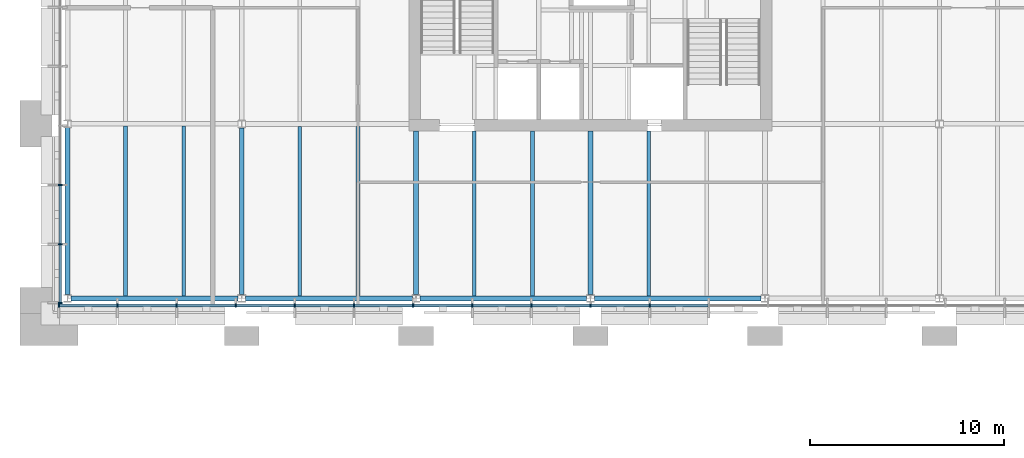
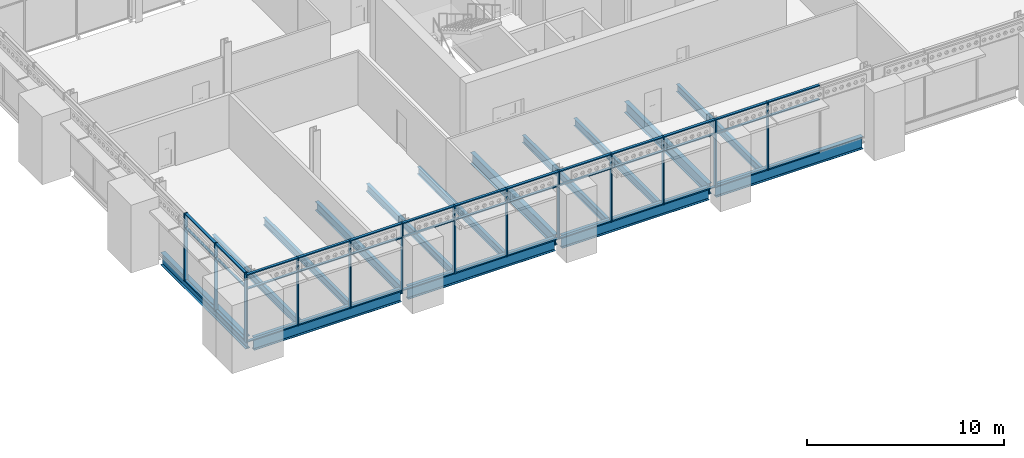
# One storey, part 9 of 54: 53 members, 15 beams, 2 elements without a shape of their own.
"""IFC4 building model written with IfcOpenShell, lengths in metres."""

from ifc_helpers import new_model, si_unit, direction, frame, origin, origin_2d, place, context, subcontext, project, spatial, rectangle, i_section, extrude, material, material_profile, profile_set, type_object, element, aggregate, save


model = new_model("IFC4")

# Units and contexts
model_context = context("Model", 3, precision=1e-05, world=origin(), true_north=direction((0.0, 1.0)))
body_context = subcontext(model_context, "Body", "Model", "MODEL_VIEW")
ifc_project = project(units=[si_unit("LENGTHUNIT", "METRE"), si_unit("AREAUNIT", "SQUARE_METRE"), si_unit("VOLUMEUNIT", "CUBIC_METRE"), si_unit("PLANEANGLEUNIT", "RADIAN"), si_unit("MASSUNIT", "GRAM", prefix="KILO")], contexts=[model_context])

# Site, building, storey
site_placement = place(None, origin())
site = spatial("IfcSite", under=ifc_project, at=site_placement, CompositionType="ELEMENT")
building_placement = place(site_placement, origin())
building = spatial("IfcBuilding", under=site, at=building_placement, Name="Baradari Gate Terminus", CompositionType="ELEMENT")
storey_placement = place(building_placement, frame((0.0, 0.0, 15.89990234375)))
storey = spatial("IfcBuildingStorey", under=building, at=storey_placement, Name="L03", CompositionType="ELEMENT", Elevation=15.89990234375)

# Curtain wall, members
ifc_material_1 = material(Name="Aluminium 6063-T6", Category="aluminium")
curtain_wall_type = type_object("IfcCurtainWallType", Name="Curtain wall CW-1 block unitised, zone L02-L05", PredefinedType="NOTDEFINED", material=ifc_material_1)
curtain_wall_1_placement = place(storey_placement, origin())
curtain_wall_1 = element("IfcCurtainWall", 1, at=curtain_wall_1_placement, inside=storey, type_object=curtain_wall_type, Name="Curtain wall CW-1 Operations block S face L03", PredefinedType="NOTDEFINED")
ifc_material_2 = material(Name="Aluminium 6063-T6", Category="aluminium")
ifc_material_profile_1 = material_profile(ifc_material_2, rectangle(XDim=0.199951171875, YDim=0.06494140625, at=origin_2d()), Name="CM-1 65X200")
ifc_profile_set_1 = profile_set([ifc_material_profile_1], Name="Aluminium 6063-T6")
member_type_1 = type_object("IfcMemberType", Name="Curtain wall mullion CM-1 65x200", PredefinedType="MULLION", material=ifc_profile_set_1)
member_1_placement = place(storey_placement, frame((8.5625, 116.6298828125, 0.0), z_axis=(0.0, 0.0, 1.0), x_axis=(0.0, 1.0, 0.0)))
member_1 = element("IfcMember", 2, at=member_1_placement, type_object=member_type_1, Name="CW-1 mullion 1", PredefinedType="MULLION", context=body_context, shape_type="SweptSolid", body=[
    extrude(rectangle(XDim=0.199951171875, YDim=0.06494140625, at=origin_2d()), origin(), (0.0, 0.0, 1.0), 4.2001953125),
])
member_2_placement = place(storey_placement, frame((11.582275390625, 116.6298828125, 0.0), z_axis=(0.0, 0.0, 1.0), x_axis=(0.0, 1.0, 0.0)))
member_2 = element("IfcMember", 3, at=member_2_placement, type_object=member_type_1, Name="CW-1 mullion 2", PredefinedType="MULLION", context=body_context, shape_type="SweptSolid", body=[
    extrude(rectangle(XDim=0.199951171875, YDim=0.06494140625, at=origin_2d()), origin(), (0.0, 0.0, 1.0), 4.2001953125),
])
member_3_placement = place(storey_placement, frame((14.634521484375, 116.6298828125, 0.0), z_axis=(0.0, 0.0, 1.0), x_axis=(0.0, 1.0, 0.0)))
member_3 = element("IfcMember", 4, at=member_3_placement, type_object=member_type_1, Name="CW-1 mullion 3", PredefinedType="MULLION", context=body_context, shape_type="SweptSolid", body=[
    extrude(rectangle(XDim=0.199951171875, YDim=0.06494140625, at=origin_2d()), origin(), (0.0, 0.0, 1.0), 4.2001953125),
])
member_4_placement = place(storey_placement, frame((17.686767578125, 116.6298828125, 0.0), z_axis=(0.0, 0.0, 1.0), x_axis=(0.0, 1.0, 0.0)))
member_4 = element("IfcMember", 5, at=member_4_placement, type_object=member_type_1, Name="CW-1 mullion 4", PredefinedType="MULLION", context=body_context, shape_type="SweptSolid", body=[
    extrude(rectangle(XDim=0.199951171875, YDim=0.06494140625, at=origin_2d()), origin(), (0.0, 0.0, 1.0), 4.2001953125),
])
member_5_placement = place(storey_placement, frame((20.73876953125, 116.6298828125, 0.0), z_axis=(0.0, 0.0, 1.0), x_axis=(0.0, 1.0, 0.0)))
member_5 = element("IfcMember", 6, at=member_5_placement, type_object=member_type_1, Name="CW-1 mullion 5", PredefinedType="MULLION", context=body_context, shape_type="SweptSolid", body=[
    extrude(rectangle(XDim=0.199951171875, YDim=0.06494140625, at=origin_2d()), origin(), (0.0, 0.0, 1.0), 4.2001953125),
])
member_6_placement = place(storey_placement, frame((23.791015625, 116.6298828125, 0.0), z_axis=(0.0, 0.0, 1.0), x_axis=(0.0, 1.0, 0.0)))
member_6 = element("IfcMember", 7, at=member_6_placement, type_object=member_type_1, Name="CW-1 mullion 6", PredefinedType="MULLION", context=body_context, shape_type="SweptSolid", body=[
    extrude(rectangle(XDim=0.199951171875, YDim=0.06494140625, at=origin_2d()), origin(), (0.0, 0.0, 1.0), 4.2001953125),
])
member_7_placement = place(storey_placement, frame((26.84326171875, 116.6298828125, 0.0), z_axis=(0.0, 0.0, 1.0), x_axis=(0.0, 1.0, 0.0)))
member_7 = element("IfcMember", 8, at=member_7_placement, type_object=member_type_1, Name="CW-1 mullion 7", PredefinedType="MULLION", context=body_context, shape_type="SweptSolid", body=[
    extrude(rectangle(XDim=0.199951171875, YDim=0.06494140625, at=origin_2d()), origin(), (0.0, 0.0, 1.0), 4.2001953125),
])
member_8_placement = place(storey_placement, frame((29.8955078125, 116.6298828125, 0.0), z_axis=(0.0, 0.0, 1.0), x_axis=(0.0, 1.0, 0.0)))
member_8 = element("IfcMember", 9, at=member_8_placement, type_object=member_type_1, Name="CW-1 mullion 8", PredefinedType="MULLION", context=body_context, shape_type="SweptSolid", body=[
    extrude(rectangle(XDim=0.199951171875, YDim=0.06494140625, at=origin_2d()), origin(), (0.0, 0.0, 1.0), 4.2001953125),
])
member_9_placement = place(storey_placement, frame((32.94775390625, 116.6298828125, 0.0), z_axis=(0.0, 0.0, 1.0), x_axis=(0.0, 1.0, 0.0)))
member_9 = element("IfcMember", 10, at=member_9_placement, type_object=member_type_1, Name="CW-1 mullion 9", PredefinedType="MULLION", context=body_context, shape_type="SweptSolid", body=[
    extrude(rectangle(XDim=0.199951171875, YDim=0.06494140625, at=origin_2d()), origin(), (0.0, 0.0, 1.0), 4.2001953125),
])
member_10_placement = place(storey_placement, frame((36.0, 116.6298828125, 0.0), z_axis=(0.0, 0.0, 1.0), x_axis=(0.0, 1.0, 0.0)))
member_10 = element("IfcMember", 11, at=member_10_placement, type_object=member_type_1, Name="CW-1 mullion 10", PredefinedType="MULLION", context=body_context, shape_type="SweptSolid", body=[
    extrude(rectangle(XDim=0.199951171875, YDim=0.06494140625, at=origin_2d()), origin(), (0.0, 0.0, 1.0), 4.2001953125),
])
member_11_placement = place(storey_placement, frame((39.05224609375, 116.6298828125, 0.0), z_axis=(0.0, 0.0, 1.0), x_axis=(0.0, 1.0, 0.0)))
member_11 = element("IfcMember", 12, at=member_11_placement, type_object=member_type_1, Name="CW-1 mullion 11", PredefinedType="MULLION", context=body_context, shape_type="SweptSolid", body=[
    extrude(rectangle(XDim=0.199951171875, YDim=0.06494140625, at=origin_2d()), origin(), (0.0, 0.0, 1.0), 4.2001953125),
])

curtain_wall_2_placement = place(storey_placement, origin())
curtain_wall_2 = element("IfcCurtainWall", 13, at=curtain_wall_2_placement, inside=storey, type_object=curtain_wall_type, Name="Curtain wall CW-1 Operations block W face L03", PredefinedType="NOTDEFINED")
member_12_placement = place(storey_placement, frame((8.6298828125, 116.762451171875, 0.0), z_axis=(0.0, 0.0, 1.0), x_axis=(-1.0, 0.0, 0.0)))
member_12 = element("IfcMember", 14, at=member_12_placement, type_object=member_type_1, Name="CW-1 mullion 1", PredefinedType="MULLION", context=body_context, shape_type="SweptSolid", body=[
    extrude(rectangle(XDim=0.199951171875, YDim=0.06494140625, at=origin_2d()), origin(), (0.0, 0.0, 1.0), 4.2001953125),
])
member_13_placement = place(storey_placement, frame((8.6298828125, 119.7900390625, 0.0), z_axis=(0.0, 0.0, 1.0), x_axis=(-1.0, 0.0, 0.0)))
member_13 = element("IfcMember", 15, at=member_13_placement, type_object=member_type_1, Name="CW-1 mullion 2", PredefinedType="MULLION", context=body_context, shape_type="SweptSolid", body=[
    extrude(rectangle(XDim=0.199951171875, YDim=0.06494140625, at=origin_2d()), origin(), (0.0, 0.0, 1.0), 4.2001953125),
])
member_14_placement = place(storey_placement, frame((8.6298828125, 122.85009765625, 0.0), z_axis=(0.0, 0.0, 1.0), x_axis=(-1.0, 0.0, 0.0)))
member_14 = element("IfcMember", 16, at=member_14_placement, type_object=member_type_1, Name="CW-1 mullion 3", PredefinedType="MULLION", context=body_context, shape_type="SweptSolid", body=[
    extrude(rectangle(XDim=0.199951171875, YDim=0.06494140625, at=origin_2d()), origin(), (0.0, 0.0, 1.0), 4.2001953125),
])

# Member
ifc_material_3 = material(Name="Aluminium 6063-T6", Category="aluminium")
ifc_material_profile_2 = material_profile(ifc_material_3, rectangle(XDim=0.14990234375, YDim=0.06494140625, at=origin_2d()), Name="CT-1 65X150")
ifc_profile_set_2 = profile_set([ifc_material_profile_2], Name="Aluminium 6063-T6")
member_type_2 = type_object("IfcMemberType", Name="Curtain wall transom CT-1 65x150", PredefinedType="USERDEFINED", material=ifc_profile_set_2)
member_15_placement = place(storey_placement, frame((8.594970703125, 116.6298828125, 0.03271484375), z_axis=(1.0, 0.0, 0.0), x_axis=(0.0, 1.0, 0.0)))
member_15 = element("IfcMember", 17, at=member_15_placement, type_object=member_type_2, Name="CW-1 transom 1.1", ObjectType="TRANSOM", PredefinedType="USERDEFINED", context=body_context, shape_type="SweptSolid", body=[
    extrude(rectangle(XDim=0.14990234375, YDim=0.06494140625, at=origin_2d()), origin(), (0.0, 0.0, 1.0), 2.954833984375),
])

member_16_placement = place(storey_placement, frame((8.594970703125, 116.6298828125, 3.300048828125), z_axis=(1.0, 0.0, 0.0), x_axis=(0.0, 1.0, 0.0)))
member_16 = element("IfcMember", 18, at=member_16_placement, type_object=member_type_2, Name="CW-1 transom 1.2", ObjectType="TRANSOM", PredefinedType="USERDEFINED", context=body_context, shape_type="SweptSolid", body=[
    extrude(rectangle(XDim=0.14990234375, YDim=0.06494140625, at=origin_2d()), origin(), (0.0, 0.0, 1.0), 2.954833984375),
])

member_17_placement = place(storey_placement, frame((8.594970703125, 116.6298828125, 4.16748046875), z_axis=(1.0, 0.0, 0.0), x_axis=(0.0, 1.0, 0.0)))
member_17 = element("IfcMember", 19, at=member_17_placement, type_object=member_type_2, Name="CW-1 transom 1.3", ObjectType="TRANSOM", PredefinedType="USERDEFINED", context=body_context, shape_type="SweptSolid", body=[
    extrude(rectangle(XDim=0.14990234375, YDim=0.06494140625, at=origin_2d()), origin(), (0.0, 0.0, 1.0), 2.954833984375),
])

member_18_placement = place(storey_placement, frame((11.61474609375, 116.6298828125, 0.03271484375), z_axis=(1.0, 0.0, 0.0), x_axis=(0.0, 1.0, 0.0)))
member_18 = element("IfcMember", 20, at=member_18_placement, type_object=member_type_2, Name="CW-1 transom 2.1", ObjectType="TRANSOM", PredefinedType="USERDEFINED", context=body_context, shape_type="SweptSolid", body=[
    extrude(rectangle(XDim=0.14990234375, YDim=0.06494140625, at=origin_2d()), origin(), (0.0, 0.0, 1.0), 2.9873046875),
])

member_19_placement = place(storey_placement, frame((11.61474609375, 116.6298828125, 3.300048828125), z_axis=(1.0, 0.0, 0.0), x_axis=(0.0, 1.0, 0.0)))
member_19 = element("IfcMember", 21, at=member_19_placement, type_object=member_type_2, Name="CW-1 transom 2.2", ObjectType="TRANSOM", PredefinedType="USERDEFINED", context=body_context, shape_type="SweptSolid", body=[
    extrude(rectangle(XDim=0.14990234375, YDim=0.06494140625, at=origin_2d()), origin(), (0.0, 0.0, 1.0), 2.9873046875),
])

member_20_placement = place(storey_placement, frame((11.61474609375, 116.6298828125, 4.16748046875), z_axis=(1.0, 0.0, 0.0), x_axis=(0.0, 1.0, 0.0)))
member_20 = element("IfcMember", 22, at=member_20_placement, type_object=member_type_2, Name="CW-1 transom 2.3", ObjectType="TRANSOM", PredefinedType="USERDEFINED", context=body_context, shape_type="SweptSolid", body=[
    extrude(rectangle(XDim=0.14990234375, YDim=0.06494140625, at=origin_2d()), origin(), (0.0, 0.0, 1.0), 2.9873046875),
])

member_21_placement = place(storey_placement, frame((14.6669921875, 116.6298828125, 0.03271484375), z_axis=(1.0, 0.0, 0.0), x_axis=(0.0, 1.0, 0.0)))
member_21 = element("IfcMember", 23, at=member_21_placement, type_object=member_type_2, Name="CW-1 transom 3.1", ObjectType="TRANSOM", PredefinedType="USERDEFINED", context=body_context, shape_type="SweptSolid", body=[
    extrude(rectangle(XDim=0.14990234375, YDim=0.06494140625, at=origin_2d()), origin(), (0.0, 0.0, 1.0), 2.987060546875),
])

member_22_placement = place(storey_placement, frame((14.6669921875, 116.6298828125, 3.300048828125), z_axis=(1.0, 0.0, 0.0), x_axis=(0.0, 1.0, 0.0)))
member_22 = element("IfcMember", 24, at=member_22_placement, type_object=member_type_2, Name="CW-1 transom 3.2", ObjectType="TRANSOM", PredefinedType="USERDEFINED", context=body_context, shape_type="SweptSolid", body=[
    extrude(rectangle(XDim=0.14990234375, YDim=0.06494140625, at=origin_2d()), origin(), (0.0, 0.0, 1.0), 2.987060546875),
])

member_23_placement = place(storey_placement, frame((14.6669921875, 116.6298828125, 4.16748046875), z_axis=(1.0, 0.0, 0.0), x_axis=(0.0, 1.0, 0.0)))
member_23 = element("IfcMember", 25, at=member_23_placement, type_object=member_type_2, Name="CW-1 transom 3.3", ObjectType="TRANSOM", PredefinedType="USERDEFINED", context=body_context, shape_type="SweptSolid", body=[
    extrude(rectangle(XDim=0.14990234375, YDim=0.06494140625, at=origin_2d()), origin(), (0.0, 0.0, 1.0), 2.987060546875),
])

member_24_placement = place(storey_placement, frame((17.71923828125, 116.6298828125, 0.03271484375), z_axis=(1.0, 0.0, 0.0), x_axis=(0.0, 1.0, 0.0)))
member_24 = element("IfcMember", 26, at=member_24_placement, type_object=member_type_2, Name="CW-1 transom 4.1", ObjectType="TRANSOM", PredefinedType="USERDEFINED", context=body_context, shape_type="SweptSolid", body=[
    extrude(rectangle(XDim=0.14990234375, YDim=0.06494140625, at=origin_2d()), origin(), (0.0, 0.0, 1.0), 2.987060546875),
])

member_25_placement = place(storey_placement, frame((17.71923828125, 116.6298828125, 3.300048828125), z_axis=(1.0, 0.0, 0.0), x_axis=(0.0, 1.0, 0.0)))
member_25 = element("IfcMember", 27, at=member_25_placement, type_object=member_type_2, Name="CW-1 transom 4.2", ObjectType="TRANSOM", PredefinedType="USERDEFINED", context=body_context, shape_type="SweptSolid", body=[
    extrude(rectangle(XDim=0.14990234375, YDim=0.06494140625, at=origin_2d()), origin(), (0.0, 0.0, 1.0), 2.987060546875),
])

member_26_placement = place(storey_placement, frame((17.71923828125, 116.6298828125, 4.16748046875), z_axis=(1.0, 0.0, 0.0), x_axis=(0.0, 1.0, 0.0)))
member_26 = element("IfcMember", 28, at=member_26_placement, type_object=member_type_2, Name="CW-1 transom 4.3", ObjectType="TRANSOM", PredefinedType="USERDEFINED", context=body_context, shape_type="SweptSolid", body=[
    extrude(rectangle(XDim=0.14990234375, YDim=0.06494140625, at=origin_2d()), origin(), (0.0, 0.0, 1.0), 2.987060546875),
])

member_27_placement = place(storey_placement, frame((20.771484375, 116.6298828125, 0.03271484375), z_axis=(1.0, 0.0, 0.0), x_axis=(0.0, 1.0, 0.0)))
member_27 = element("IfcMember", 29, at=member_27_placement, type_object=member_type_2, Name="CW-1 transom 5.1", ObjectType="TRANSOM", PredefinedType="USERDEFINED", context=body_context, shape_type="SweptSolid", body=[
    extrude(rectangle(XDim=0.14990234375, YDim=0.06494140625, at=origin_2d()), origin(), (0.0, 0.0, 1.0), 2.987060546875),
])

member_28_placement = place(storey_placement, frame((20.771484375, 116.6298828125, 3.300048828125), z_axis=(1.0, 0.0, 0.0), x_axis=(0.0, 1.0, 0.0)))
member_28 = element("IfcMember", 30, at=member_28_placement, type_object=member_type_2, Name="CW-1 transom 5.2", ObjectType="TRANSOM", PredefinedType="USERDEFINED", context=body_context, shape_type="SweptSolid", body=[
    extrude(rectangle(XDim=0.14990234375, YDim=0.06494140625, at=origin_2d()), origin(), (0.0, 0.0, 1.0), 2.987060546875),
])

member_29_placement = place(storey_placement, frame((20.771484375, 116.6298828125, 4.16748046875), z_axis=(1.0, 0.0, 0.0), x_axis=(0.0, 1.0, 0.0)))
member_29 = element("IfcMember", 31, at=member_29_placement, type_object=member_type_2, Name="CW-1 transom 5.3", ObjectType="TRANSOM", PredefinedType="USERDEFINED", context=body_context, shape_type="SweptSolid", body=[
    extrude(rectangle(XDim=0.14990234375, YDim=0.06494140625, at=origin_2d()), origin(), (0.0, 0.0, 1.0), 2.987060546875),
])

member_30_placement = place(storey_placement, frame((23.82373046875, 116.6298828125, 0.03271484375), z_axis=(1.0, 0.0, 0.0), x_axis=(0.0, 1.0, 0.0)))
member_30 = element("IfcMember", 32, at=member_30_placement, type_object=member_type_2, Name="CW-1 transom 6.1", ObjectType="TRANSOM", PredefinedType="USERDEFINED", context=body_context, shape_type="SweptSolid", body=[
    extrude(rectangle(XDim=0.14990234375, YDim=0.06494140625, at=origin_2d()), origin(), (0.0, 0.0, 1.0), 2.987060546875),
])

member_31_placement = place(storey_placement, frame((23.82373046875, 116.6298828125, 3.300048828125), z_axis=(1.0, 0.0, 0.0), x_axis=(0.0, 1.0, 0.0)))
member_31 = element("IfcMember", 33, at=member_31_placement, type_object=member_type_2, Name="CW-1 transom 6.2", ObjectType="TRANSOM", PredefinedType="USERDEFINED", context=body_context, shape_type="SweptSolid", body=[
    extrude(rectangle(XDim=0.14990234375, YDim=0.06494140625, at=origin_2d()), origin(), (0.0, 0.0, 1.0), 2.987060546875),
])

member_32_placement = place(storey_placement, frame((23.82373046875, 116.6298828125, 4.16748046875), z_axis=(1.0, 0.0, 0.0), x_axis=(0.0, 1.0, 0.0)))
member_32 = element("IfcMember", 34, at=member_32_placement, type_object=member_type_2, Name="CW-1 transom 6.3", ObjectType="TRANSOM", PredefinedType="USERDEFINED", context=body_context, shape_type="SweptSolid", body=[
    extrude(rectangle(XDim=0.14990234375, YDim=0.06494140625, at=origin_2d()), origin(), (0.0, 0.0, 1.0), 2.987060546875),
])

member_33_placement = place(storey_placement, frame((26.875732421875, 116.6298828125, 0.03271484375), z_axis=(1.0, 0.0, 0.0), x_axis=(0.0, 1.0, 0.0)))
member_33 = element("IfcMember", 35, at=member_33_placement, type_object=member_type_2, Name="CW-1 transom 7.1", ObjectType="TRANSOM", PredefinedType="USERDEFINED", context=body_context, shape_type="SweptSolid", body=[
    extrude(rectangle(XDim=0.14990234375, YDim=0.06494140625, at=origin_2d()), origin(), (0.0, 0.0, 1.0), 2.9873046875),
])

member_34_placement = place(storey_placement, frame((26.875732421875, 116.6298828125, 3.300048828125), z_axis=(1.0, 0.0, 0.0), x_axis=(0.0, 1.0, 0.0)))
member_34 = element("IfcMember", 36, at=member_34_placement, type_object=member_type_2, Name="CW-1 transom 7.2", ObjectType="TRANSOM", PredefinedType="USERDEFINED", context=body_context, shape_type="SweptSolid", body=[
    extrude(rectangle(XDim=0.14990234375, YDim=0.06494140625, at=origin_2d()), origin(), (0.0, 0.0, 1.0), 2.9873046875),
])

member_35_placement = place(storey_placement, frame((26.875732421875, 116.6298828125, 4.16748046875), z_axis=(1.0, 0.0, 0.0), x_axis=(0.0, 1.0, 0.0)))
member_35 = element("IfcMember", 37, at=member_35_placement, type_object=member_type_2, Name="CW-1 transom 7.3", ObjectType="TRANSOM", PredefinedType="USERDEFINED", context=body_context, shape_type="SweptSolid", body=[
    extrude(rectangle(XDim=0.14990234375, YDim=0.06494140625, at=origin_2d()), origin(), (0.0, 0.0, 1.0), 2.9873046875),
])

member_36_placement = place(storey_placement, frame((29.927978515625, 116.6298828125, 0.03271484375), z_axis=(1.0, 0.0, 0.0), x_axis=(0.0, 1.0, 0.0)))
member_36 = element("IfcMember", 38, at=member_36_placement, type_object=member_type_2, Name="CW-1 transom 8.1", ObjectType="TRANSOM", PredefinedType="USERDEFINED", context=body_context, shape_type="SweptSolid", body=[
    extrude(rectangle(XDim=0.14990234375, YDim=0.06494140625, at=origin_2d()), origin(), (0.0, 0.0, 1.0), 2.9873046875),
])

member_37_placement = place(storey_placement, frame((29.927978515625, 116.6298828125, 3.300048828125), z_axis=(1.0, 0.0, 0.0), x_axis=(0.0, 1.0, 0.0)))
member_37 = element("IfcMember", 39, at=member_37_placement, type_object=member_type_2, Name="CW-1 transom 8.2", ObjectType="TRANSOM", PredefinedType="USERDEFINED", context=body_context, shape_type="SweptSolid", body=[
    extrude(rectangle(XDim=0.14990234375, YDim=0.06494140625, at=origin_2d()), origin(), (0.0, 0.0, 1.0), 2.9873046875),
])

member_38_placement = place(storey_placement, frame((29.927978515625, 116.6298828125, 4.16748046875), z_axis=(1.0, 0.0, 0.0), x_axis=(0.0, 1.0, 0.0)))
member_38 = element("IfcMember", 40, at=member_38_placement, type_object=member_type_2, Name="CW-1 transom 8.3", ObjectType="TRANSOM", PredefinedType="USERDEFINED", context=body_context, shape_type="SweptSolid", body=[
    extrude(rectangle(XDim=0.14990234375, YDim=0.06494140625, at=origin_2d()), origin(), (0.0, 0.0, 1.0), 2.9873046875),
])

member_39_placement = place(storey_placement, frame((32.980224609375, 116.6298828125, 0.03271484375), z_axis=(1.0, 0.0, 0.0), x_axis=(0.0, 1.0, 0.0)))
member_39 = element("IfcMember", 41, at=member_39_placement, type_object=member_type_2, Name="CW-1 transom 9.1", ObjectType="TRANSOM", PredefinedType="USERDEFINED", context=body_context, shape_type="SweptSolid", body=[
    extrude(rectangle(XDim=0.14990234375, YDim=0.06494140625, at=origin_2d()), origin(), (0.0, 0.0, 1.0), 2.9873046875),
])

member_40_placement = place(storey_placement, frame((32.980224609375, 116.6298828125, 3.300048828125), z_axis=(1.0, 0.0, 0.0), x_axis=(0.0, 1.0, 0.0)))
member_40 = element("IfcMember", 42, at=member_40_placement, type_object=member_type_2, Name="CW-1 transom 9.2", ObjectType="TRANSOM", PredefinedType="USERDEFINED", context=body_context, shape_type="SweptSolid", body=[
    extrude(rectangle(XDim=0.14990234375, YDim=0.06494140625, at=origin_2d()), origin(), (0.0, 0.0, 1.0), 2.9873046875),
])

member_41_placement = place(storey_placement, frame((32.980224609375, 116.6298828125, 4.16748046875), z_axis=(1.0, 0.0, 0.0), x_axis=(0.0, 1.0, 0.0)))
member_41 = element("IfcMember", 43, at=member_41_placement, type_object=member_type_2, Name="CW-1 transom 9.3", ObjectType="TRANSOM", PredefinedType="USERDEFINED", context=body_context, shape_type="SweptSolid", body=[
    extrude(rectangle(XDim=0.14990234375, YDim=0.06494140625, at=origin_2d()), origin(), (0.0, 0.0, 1.0), 2.9873046875),
])

member_42_placement = place(storey_placement, frame((36.032470703125, 116.6298828125, 0.03271484375), z_axis=(1.0, 0.0, 0.0), x_axis=(0.0, 1.0, 0.0)))
member_42 = element("IfcMember", 44, at=member_42_placement, type_object=member_type_2, Name="CW-1 transom 10.1", ObjectType="TRANSOM", PredefinedType="USERDEFINED", context=body_context, shape_type="SweptSolid", body=[
    extrude(rectangle(XDim=0.14990234375, YDim=0.06494140625, at=origin_2d()), origin(), (0.0, 0.0, 1.0), 2.9873046875),
])

member_43_placement = place(storey_placement, frame((36.032470703125, 116.6298828125, 3.300048828125), z_axis=(1.0, 0.0, 0.0), x_axis=(0.0, 1.0, 0.0)))
member_43 = element("IfcMember", 45, at=member_43_placement, type_object=member_type_2, Name="CW-1 transom 10.2", ObjectType="TRANSOM", PredefinedType="USERDEFINED", context=body_context, shape_type="SweptSolid", body=[
    extrude(rectangle(XDim=0.14990234375, YDim=0.06494140625, at=origin_2d()), origin(), (0.0, 0.0, 1.0), 2.9873046875),
])

member_44_placement = place(storey_placement, frame((36.032470703125, 116.6298828125, 4.16748046875), z_axis=(1.0, 0.0, 0.0), x_axis=(0.0, 1.0, 0.0)))
member_44 = element("IfcMember", 46, at=member_44_placement, type_object=member_type_2, Name="CW-1 transom 10.3", ObjectType="TRANSOM", PredefinedType="USERDEFINED", context=body_context, shape_type="SweptSolid", body=[
    extrude(rectangle(XDim=0.14990234375, YDim=0.06494140625, at=origin_2d()), origin(), (0.0, 0.0, 1.0), 2.9873046875),
])

member_45_placement = place(storey_placement, frame((39.084716796875, 116.6298828125, 0.03271484375), z_axis=(1.0, 0.0, 0.0), x_axis=(0.0, 1.0, 0.0)))
member_45 = element("IfcMember", 47, at=member_45_placement, type_object=member_type_2, Name="CW-1 transom 11.1", ObjectType="TRANSOM", PredefinedType="USERDEFINED", context=body_context, shape_type="SweptSolid", body=[
    extrude(rectangle(XDim=0.14990234375, YDim=0.06494140625, at=origin_2d()), origin(), (0.0, 0.0, 1.0), 2.9873046875),
])

member_46_placement = place(storey_placement, frame((39.084716796875, 116.6298828125, 3.300048828125), z_axis=(1.0, 0.0, 0.0), x_axis=(0.0, 1.0, 0.0)))
member_46 = element("IfcMember", 48, at=member_46_placement, type_object=member_type_2, Name="CW-1 transom 11.2", ObjectType="TRANSOM", PredefinedType="USERDEFINED", context=body_context, shape_type="SweptSolid", body=[
    extrude(rectangle(XDim=0.14990234375, YDim=0.06494140625, at=origin_2d()), origin(), (0.0, 0.0, 1.0), 2.9873046875),
])

member_47_placement = place(storey_placement, frame((39.084716796875, 116.6298828125, 4.16748046875), z_axis=(1.0, 0.0, 0.0), x_axis=(0.0, 1.0, 0.0)))
member_47 = element("IfcMember", 49, at=member_47_placement, type_object=member_type_2, Name="CW-1 transom 11.3", ObjectType="TRANSOM", PredefinedType="USERDEFINED", context=body_context, shape_type="SweptSolid", body=[
    extrude(rectangle(XDim=0.14990234375, YDim=0.06494140625, at=origin_2d()), origin(), (0.0, 0.0, 1.0), 2.9873046875),
])

aggregate(curtain_wall_1, [member_1, member_2, member_3, member_4, member_5, member_6, member_7, member_8, member_9, member_10, member_11, member_15, member_16, member_17, member_18, member_19, member_20, member_21, member_22, member_23, member_24, member_25, member_26, member_27, member_28, member_29, member_30, member_31, member_32, member_33, member_34, member_35, member_36, member_37, member_38, member_39, member_40, member_41, member_42, member_43, member_44, member_45, member_46, member_47])

member_48_placement = place(storey_placement, frame((8.6298828125, 116.794921875, 0.03271484375), z_axis=(0.0, 1.0, 0.0), x_axis=(-1.0, 0.0, 0.0)))
member_48 = element("IfcMember", 50, at=member_48_placement, type_object=member_type_2, Name="CW-1 transom 1.1", ObjectType="TRANSOM", PredefinedType="USERDEFINED", context=body_context, shape_type="SweptSolid", body=[
    extrude(rectangle(XDim=0.14990234375, YDim=0.06494140625, at=origin_2d()), origin(), (0.0, 0.0, 1.0), 2.962646484375),
])

member_49_placement = place(storey_placement, frame((8.6298828125, 116.794921875, 3.300048828125), z_axis=(0.0, 1.0, 0.0), x_axis=(-1.0, 0.0, 0.0)))
member_49 = element("IfcMember", 51, at=member_49_placement, type_object=member_type_2, Name="CW-1 transom 1.2", ObjectType="TRANSOM", PredefinedType="USERDEFINED", context=body_context, shape_type="SweptSolid", body=[
    extrude(rectangle(XDim=0.14990234375, YDim=0.06494140625, at=origin_2d()), origin(), (0.0, 0.0, 1.0), 2.962646484375),
])

member_50_placement = place(storey_placement, frame((8.6298828125, 116.794921875, 4.16748046875), z_axis=(0.0, 1.0, 0.0), x_axis=(-1.0, 0.0, 0.0)))
member_50 = element("IfcMember", 52, at=member_50_placement, type_object=member_type_2, Name="CW-1 transom 1.3", ObjectType="TRANSOM", PredefinedType="USERDEFINED", context=body_context, shape_type="SweptSolid", body=[
    extrude(rectangle(XDim=0.14990234375, YDim=0.06494140625, at=origin_2d()), origin(), (0.0, 0.0, 1.0), 2.962646484375),
])

member_51_placement = place(storey_placement, frame((8.6298828125, 119.822509765625, 0.03271484375), z_axis=(0.0, 1.0, 0.0), x_axis=(-1.0, 0.0, 0.0)))
member_51 = element("IfcMember", 53, at=member_51_placement, type_object=member_type_2, Name="CW-1 transom 2.1", ObjectType="TRANSOM", PredefinedType="USERDEFINED", context=body_context, shape_type="SweptSolid", body=[
    extrude(rectangle(XDim=0.14990234375, YDim=0.06494140625, at=origin_2d()), origin(), (0.0, 0.0, 1.0), 2.994873046875),
])

member_52_placement = place(storey_placement, frame((8.6298828125, 119.822509765625, 3.300048828125), z_axis=(0.0, 1.0, 0.0), x_axis=(-1.0, 0.0, 0.0)))
member_52 = element("IfcMember", 54, at=member_52_placement, type_object=member_type_2, Name="CW-1 transom 2.2", ObjectType="TRANSOM", PredefinedType="USERDEFINED", context=body_context, shape_type="SweptSolid", body=[
    extrude(rectangle(XDim=0.14990234375, YDim=0.06494140625, at=origin_2d()), origin(), (0.0, 0.0, 1.0), 2.994873046875),
])

member_53_placement = place(storey_placement, frame((8.6298828125, 119.822509765625, 4.16748046875), z_axis=(0.0, 1.0, 0.0), x_axis=(-1.0, 0.0, 0.0)))
member_53 = element("IfcMember", 55, at=member_53_placement, type_object=member_type_2, Name="CW-1 transom 2.3", ObjectType="TRANSOM", PredefinedType="USERDEFINED", context=body_context, shape_type="SweptSolid", body=[
    extrude(rectangle(XDim=0.14990234375, YDim=0.06494140625, at=origin_2d()), origin(), (0.0, 0.0, 1.0), 2.994873046875),
])

aggregate(curtain_wall_2, [member_12, member_13, member_14, member_48, member_49, member_50, member_51, member_52, member_53])

# Beams
ifc_material_4 = material(Name="Steel S355", Category="steel")
ifc_material_profile_3 = material_profile(ifc_material_4, i_section(OverallWidth=0.25439453125, OverallDepth=0.6875, WebThickness=0.01318359375, FlangeThickness=0.02099609375, FilletRadius=0.01513671875, at=origin_2d()), Name="UB 686x254x152")
ifc_profile_set_3 = profile_set([ifc_material_profile_3], Name="Steel S355")
beam_type_1 = type_object("IfcBeamType", Name="Operations block coupling beam B26 UB 686x254x152", PredefinedType="BEAM", material=ifc_profile_set_3)
for number, where, z_axis, x_axis, name in (
    (56, (27.0, 117.1904296875, -0.4736328125), (0.0, 1.0, 0.0), (-1.0, 0.0, 0.0), "Operations block coupling beam B26 4:117.191-125.625 L03"),
    (57, (36.0, 117.1904296875, -0.4736328125), (0.0, 1.0, 0.0), (-1.0, 0.0, 0.0), "Operations block coupling beam B26 5:117.191-125.625 L03"),
):
    element("IfcBeam", number, at=place(storey_placement, frame(where, z_axis=z_axis, x_axis=x_axis)), inside=storey, type_object=beam_type_1, Name=name, PredefinedType="BEAM", context=body_context, shape_type="SweptSolid", body=[
        extrude(i_section(OverallWidth=0.25439453125, OverallDepth=0.6875, WebThickness=0.01318359375, FlangeThickness=0.02099609375, FilletRadius=0.01513671875, at=origin_2d()), origin(), (0.0, 0.0, 1.0), 8.4345703125),
    ])
ifc_material_5 = material(Name="Steel S355", Category="steel")
ifc_material_profile_4 = material_profile(ifc_material_5, i_section(OverallWidth=0.210693359375, OverallDepth=0.53955078125, WebThickness=0.01171875, FlangeThickness=0.018798828125, FilletRadius=0.0126953125, at=origin_2d()), Name="UB 533x210x109")
ifc_profile_set_4 = profile_set([ifc_material_profile_4], Name="Steel S355")
beam_type_2 = type_object("IfcBeamType", Name="Operations block girder B29 UB 533x210x109", PredefinedType="BEAM", material=ifc_profile_set_4)
beam_1_placement = place(storey_placement, frame((18.0, 117.1904296875, -0.399658203125), z_axis=(0.0, 1.0, 0.0), x_axis=(-1.0, 0.0, 0.0)))
element("IfcBeam", 58, at=beam_1_placement, inside=storey, type_object=beam_type_2, Name="Operations block girder B29 3:117.191-125.797 L03", PredefinedType="BEAM", context=body_context, shape_type="SweptSolid", body=[
    extrude(i_section(OverallWidth=0.210693359375, OverallDepth=0.53955078125, WebThickness=0.01171875, FlangeThickness=0.018798828125, FilletRadius=0.0126953125, at=origin_2d()), origin(), (0.0, 0.0, 1.0), 8.6064453125),
])
ifc_material_6 = material(Name="Steel S355", Category="steel")
ifc_material_profile_5 = material_profile(ifc_material_6, i_section(OverallWidth=0.2666015625, OverallDepth=0.76220703125, WebThickness=0.014404296875, FlangeThickness=0.021484375, FilletRadius=0.0166015625, at=origin_2d()), Name="UB 762x267x173")
ifc_profile_set_5 = profile_set([ifc_material_profile_5], Name="Steel S355")
beam_type_3 = type_object("IfcBeamType", Name="Operations block moment frame beam B24 UB 762x267x173", PredefinedType="BEAM", material=ifc_profile_set_5)
for number, where, z_axis, x_axis, name in (
    (59, (9.197509765625, 117.0, -0.510986328125), (1.0, 0.0, 0.0), (0.0, 1.0, 0.0), "Operations block moment frame beam B24 P:9.197-17.803 L03"),
    (60, (18.197509765625, 117.0, -0.510986328125), (1.0, 0.0, 0.0), (0.0, 1.0, 0.0), "Operations block moment frame beam B24 P:18.197-26.803 L03"),
    (61, (27.197509765625, 117.0, -0.510986328125), (1.0, 0.0, 0.0), (0.0, 1.0, 0.0), "Operations block moment frame beam B24 P:27.197-35.803 L03"),
    (62, (36.197509765625, 117.0, -0.510986328125), (1.0, 0.0, 0.0), (0.0, 1.0, 0.0), "Operations block moment frame beam B24 P:36.197-44.803 L03"),
):
    element("IfcBeam", number, at=place(storey_placement, frame(where, z_axis=z_axis, x_axis=x_axis)), inside=storey, type_object=beam_type_3, Name=name, PredefinedType="BEAM", context=body_context, shape_type="SweptSolid", body=[
        extrude(i_section(OverallWidth=0.2666015625, OverallDepth=0.76220703125, WebThickness=0.014404296875, FlangeThickness=0.021484375, FilletRadius=0.0166015625, at=origin_2d()), origin(), (0.0, 0.0, 1.0), 8.60498046875),
    ])
beam_2_placement = place(storey_placement, frame((9.0, 117.1904296875, -0.510986328125), z_axis=(0.0, 1.0, 0.0), x_axis=(-1.0, 0.0, 0.0)))
element("IfcBeam", 63, at=beam_2_placement, inside=storey, type_object=beam_type_3, Name="Operations block moment frame beam B24 2:117.191-125.809 L03", PredefinedType="BEAM", context=body_context, shape_type="SweptSolid", body=[
    extrude(i_section(OverallWidth=0.2666015625, OverallDepth=0.76220703125, WebThickness=0.014404296875, FlangeThickness=0.021484375, FilletRadius=0.0166015625, at=origin_2d()), origin(), (0.0, 0.0, 1.0), 8.619140625),
])
ifc_material_7 = material(Name="Steel S355", Category="steel")
ifc_material_profile_6 = material_profile(ifc_material_7, i_section(OverallWidth=0.18994140625, OverallDepth=0.453369140625, WebThickness=0.008544921875, FlangeThickness=0.0126953125, FilletRadius=0.01025390625, at=origin_2d()), Name="UB 457x191x67")
ifc_profile_set_6 = profile_set([ifc_material_profile_6], Name="Steel S355")
beam_type_4 = type_object("IfcBeamType", Name="Operations block secondary beam B28 UB 457x191x67", PredefinedType="BEAM", material=ifc_profile_set_6)
for number, where, z_axis, x_axis, name in (
    (64, (12.0, 117.13330078125, -0.356689453125), (0.0, 1.0, 0.0), (-1.0, 0.0, 0.0), "Operations block secondary beam B28 12:117.133-125.885 L03"),
    (65, (15.0, 117.13330078125, -0.356689453125), (0.0, 1.0, 0.0), (-1.0, 0.0, 0.0), "Operations block secondary beam B28 15:117.133-125.885 L03"),
):
    element("IfcBeam", number, at=place(storey_placement, frame(where, z_axis=z_axis, x_axis=x_axis)), inside=storey, type_object=beam_type_4, Name=name, PredefinedType="BEAM", context=body_context, shape_type="SweptSolid", body=[
        extrude(i_section(OverallWidth=0.18994140625, OverallDepth=0.453369140625, WebThickness=0.008544921875, FlangeThickness=0.0126953125, FilletRadius=0.01025390625, at=origin_2d()), origin(), (0.0, 0.0, 1.0), 8.752197265625),
    ])
for number, where, z_axis, x_axis, name in (
    (66, (21.0, 117.13330078125, -0.356689453125), (0.0, 1.0, 0.0), (-1.0, 0.0, 0.0), "Operations block secondary beam B28 21:117.133-125.873 L03"),
    (67, (24.0, 117.13330078125, -0.356689453125), (0.0, 1.0, 0.0), (-1.0, 0.0, 0.0), "Operations block secondary beam B28 24:117.133-125.873 L03"),
):
    element("IfcBeam", number, at=place(storey_placement, frame(where, z_axis=z_axis, x_axis=x_axis)), inside=storey, type_object=beam_type_4, Name=name, PredefinedType="BEAM", context=body_context, shape_type="SweptSolid", body=[
        extrude(i_section(OverallWidth=0.18994140625, OverallDepth=0.453369140625, WebThickness=0.008544921875, FlangeThickness=0.0126953125, FilletRadius=0.01025390625, at=origin_2d()), origin(), (0.0, 0.0, 1.0), 8.739501953125),
    ])
for number, where, z_axis, x_axis, name in (
    (68, (30.0, 117.13330078125, -0.356689453125), (0.0, 1.0, 0.0), (-1.0, 0.0, 0.0), "Operations block secondary beam B28 30:117.133-125.625 L03"),
    (69, (33.0, 117.13330078125, -0.356689453125), (0.0, 1.0, 0.0), (-1.0, 0.0, 0.0), "Operations block secondary beam B28 33:117.133-125.625 L03"),
    (70, (39.0, 117.13330078125, -0.356689453125), (0.0, 1.0, 0.0), (-1.0, 0.0, 0.0), "Operations block secondary beam B28 39:117.133-125.625 L03"),
):
    element("IfcBeam", number, at=place(storey_placement, frame(where, z_axis=z_axis, x_axis=x_axis)), inside=storey, type_object=beam_type_4, Name=name, PredefinedType="BEAM", context=body_context, shape_type="SweptSolid", body=[
        extrude(i_section(OverallWidth=0.18994140625, OverallDepth=0.453369140625, WebThickness=0.008544921875, FlangeThickness=0.0126953125, FilletRadius=0.01025390625, at=origin_2d()), origin(), (0.0, 0.0, 1.0), 8.49169921875),
    ])

save(model, "model.ifc")
